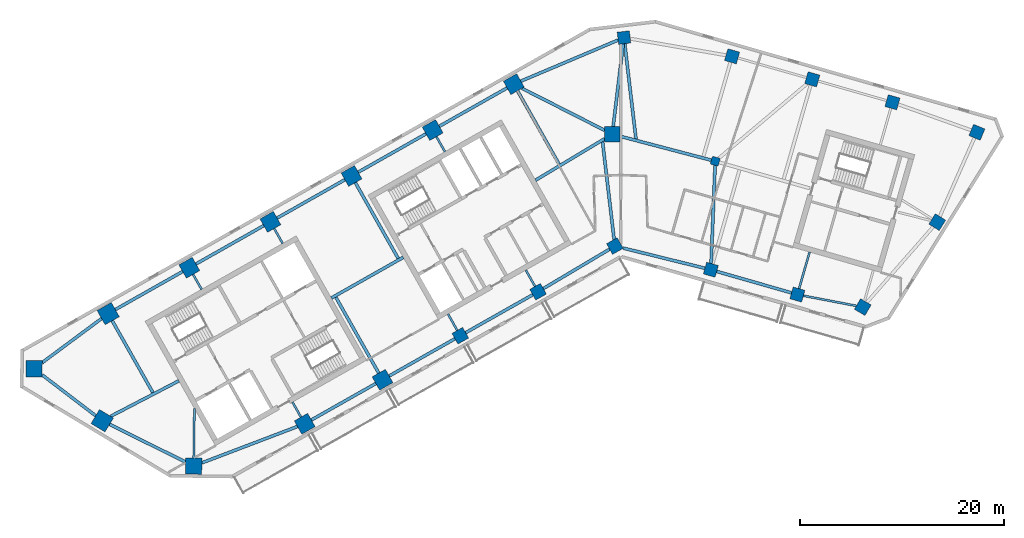
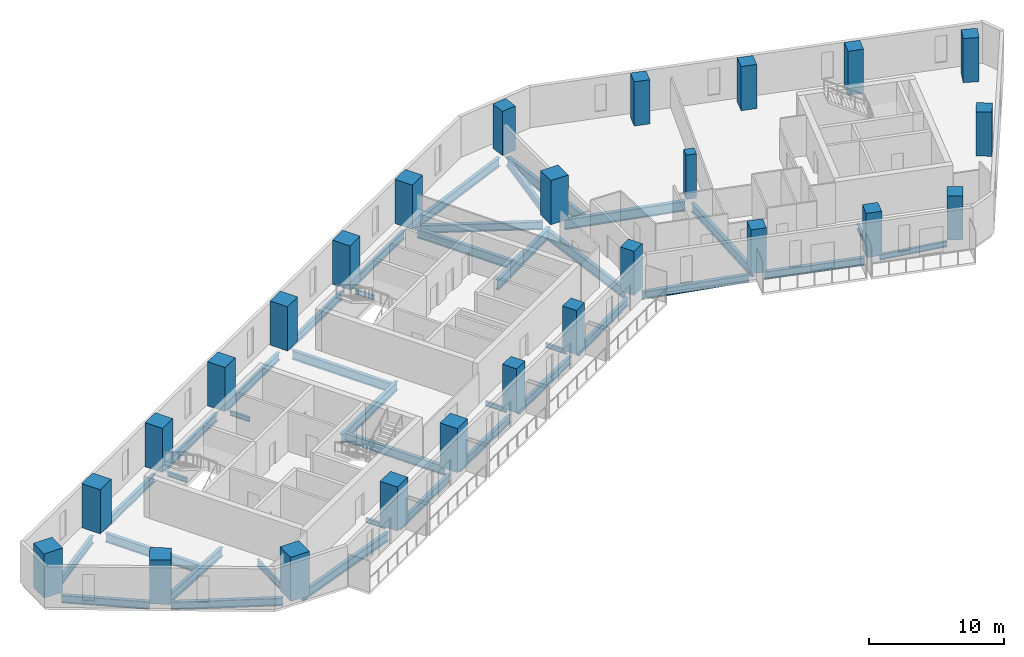
# One storey, part 1 of 9: 38 beams, 25 columns.
"""IFC4 building model written with IfcOpenShell, lengths in metres."""

from ifc_helpers import new_model, si_unit, direction, frame, origin, origin_2d, place, context, subcontext, project, spatial, rectangle, i_section, extrude, material, material_profile, profile_set, type_object, element, save


model = new_model("IFC4")

# Units and contexts
model_context = context("Model", 3, precision=1e-05, world=origin(), true_north=direction((0.0, 1.0)))
body_context = subcontext(model_context, "Body", "Model", "MODEL_VIEW")
ifc_project = project(units=[si_unit("LENGTHUNIT", "METRE"), si_unit("AREAUNIT", "SQUARE_METRE"), si_unit("VOLUMEUNIT", "CUBIC_METRE"), si_unit("PLANEANGLEUNIT", "RADIAN"), si_unit("MASSUNIT", "GRAM", prefix="KILO")], contexts=[model_context])

# Site, building, storey
site_placement = place(None, origin())
site = spatial("IfcSite", under=ifc_project, at=site_placement, CompositionType="ELEMENT")
building_placement = place(site_placement, origin())
building = spatial("IfcBuilding", under=site, at=building_placement, Name="Binnacle Exchange Tower", CompositionType="ELEMENT")
storey_placement = place(building_placement, frame((0.0, 0.0, 190.89990234375)))
storey = spatial("IfcBuildingStorey", under=building, at=storey_placement, Name="L41", CompositionType="ELEMENT", Elevation=190.89990234375)

# Columns
ifc_material_1 = material(Name="Concrete C60/75", Category="concrete")
ifc_material_profile_1 = material_profile(ifc_material_1, rectangle(XDim=0.800048828125, YDim=0.800048828125, at=origin_2d()), Name="Column 800x800 C60/75")
ifc_profile_set_1 = profile_set([ifc_material_profile_1], Name="Concrete C60/75")
column_type_1 = type_object("IfcColumnType", Name="Column 800x800 C60/75", PredefinedType="COLUMN", material=ifc_profile_set_1)
column_placement = place(storey_placement, frame((9.240966796875, 57.35009765625, 0.0), z_axis=(0.0, 0.0, 1.0), x_axis=(0.961261695938, -0.275637355817, 0.0)))
element("IfcColumn", 1, at=column_placement, inside=storey, type_object=column_type_1, Name="S:COL:C19:L41", PredefinedType="COLUMN", context=body_context, shape_type="SweptSolid", body=[
    extrude(rectangle(XDim=0.800048828125, YDim=0.800048828125, at=origin_2d()), origin(), (0.0, 0.0, 1.0), 4.0),
])
ifc_material_2 = material(Name="Concrete C70/85", Category="concrete")
ifc_material_profile_2 = material_profile(ifc_material_2, rectangle(XDim=1.199951171875, YDim=1.199951171875, at=origin_2d()), Name="Mega column 1200x1200 C70/85")
ifc_profile_set_2 = profile_set([ifc_material_profile_2], Name="Concrete C70/85")
column_type_2 = type_object("IfcColumnType", Name="Mega column 1200x1200 C70/85", PredefinedType="COLUMN", material=ifc_profile_set_2)
for number, where, z_axis, x_axis, name in (
    (2, (26.602783203125, 63.12353515625, 0.0), (0.0, 0.0, 1.0), (-0.961261695938, 0.275637355817, 0.0), "S:COL:MC52:L41"),
    (3, (18.746337890625, 65.376220703125, 0.0), (0.0, 0.0, 1.0), (-0.961261695938, 0.275637355817, 0.0), "S:COL:MC50:L41"),
    (4, (10.889892578125, 67.62890625, 0.0), (0.0, 0.0, 1.0), (-0.961261695938, 0.275637355817, 0.0), "S:COL:MC48:L41"),
    (5, (0.300048828125, 69.464111328125, 0.0), (0.0, 0.0, 1.0), (-0.993068456955, -0.117537397458, 0.0), "S:COL:MC47:L41"),
    (6, (-15.736328125, 40.257080078125, 0.0), (0.0, 0.0, 1.0), (0.87035569594, 0.492423560103, 0.0), "S:COL:MC24:L41"),
    (7, (-8.116943359375, 44.568115234375, 0.0), (0.0, 0.0, 1.0), (0.87035569594, 0.492423560103, 0.0), "S:COL:MC35:L41"),
    (8, (-0.5908203125, 49.04443359375, 0.0), (0.0, 0.0, 1.0), (0.87035569594, 0.492423560103, 0.0), "S:COL:MC46:L41"),
    (9, (8.8095703125, 46.722412109375, 0.0), (0.0, 0.0, 1.0), (0.961261695938, -0.275637355817, 0.0), "S:COL:MC49:L41"),
    (10, (17.2880859375, 44.291015625, 0.0), (0.0, 0.0, 1.0), (0.961261695938, -0.275637355817, 0.0), "S:COL:MC51:L41"),
    (11, (23.690185546875, 43.062744140625, 0.0), (0.0, 0.0, 1.0), (-0.86532642813, 0.501208711795, 0.0), "S:COL:MC53:L41"),
    (12, (30.989501953125, 51.38623046875, 0.0), (0.0, 0.0, 1.0), (0.529919264233, 0.848048096156, 0.0), "S:COL:MC55:L41"),
    (13, (34.870361328125, 60.18701171875, 0.0), (0.0, 0.0, 1.0), (-0.922814001807, 0.385245789164, 0.0), "S:COL:MC54:L41"),
):
    element("IfcColumn", number, at=place(storey_placement, frame(where, z_axis=z_axis, x_axis=x_axis)), inside=storey, type_object=column_type_2, Name=name, PredefinedType="COLUMN", context=body_context, shape_type="SweptSolid", body=[
        extrude(rectangle(XDim=1.199951171875, YDim=1.199951171875, at=origin_2d()), origin(), (0.0, 0.0, 1.0), 4.0),
    ])
ifc_material_profile_3 = material_profile(ifc_material_2, rectangle(XDim=1.5, YDim=1.5, at=origin_2d()), Name="Mega column 1500x1500 C70/85")
ifc_profile_set_3 = profile_set([ifc_material_profile_3], Name="Concrete C70/85")
column_type_3 = type_object("IfcColumnType", Name="Mega column 1500x1500 C70/85", PredefinedType="COLUMN", material=ifc_profile_set_3)
for number, where, z_axis, x_axis, name in (
    (14, (-10.4951171875, 64.901611328125, 0.0), (0.0, 0.0, 1.0), (-0.87035569594, -0.492423560103, 0.0), "S:COL:MC38:L41"),
    (15, (-18.44140625, 60.406005859375, 0.0), (0.0, 0.0, 1.0), (-0.87035569594, -0.492423560103, 0.0), "S:COL:MC29:L41"),
    (16, (-26.3876953125, 55.91015625, 0.0), (0.0, 0.0, 1.0), (-0.87035569594, -0.492423560103, 0.0), "S:COL:MC21:L41"),
    (17, (-34.333740234375, 51.414306640625, 0.0), (0.0, 0.0, 1.0), (-0.87035569594, -0.492423560103, 0.0), "S:COL:MC13:L41"),
    (18, (-42.280029296875, 46.918701171875, 0.0), (0.0, 0.0, 1.0), (-0.87035569594, -0.492423560103, 0.0), "S:COL:MC08:L41"),
    (19, (-30.9755859375, 31.63525390625, 0.0), (0.0, 0.0, 1.0), (0.87035569594, 0.492423560103, 0.0), "S:COL:MC07:L41"),
    (20, (-23.35595703125, 35.9462890625, 0.0), (0.0, 0.0, 1.0), (0.87035569594, 0.492423560103, 0.0), "S:COL:MC16:L41"),
    (21, (-0.85009765625, 60.0, 0.0), (0.0, 0.0, 1.0), (0.0, 1.0, 0.0), "S:COL:MC45:L41"),
):
    element("IfcColumn", number, at=place(storey_placement, frame(where, z_axis=z_axis, x_axis=x_axis)), inside=storey, type_object=column_type_3, Name=name, PredefinedType="COLUMN", context=body_context, shape_type="SweptSolid", body=[
        extrude(rectangle(XDim=1.5, YDim=1.5, at=origin_2d()), origin(), (0.0, 0.0, 1.0), 4.0),
    ])
ifc_material_profile_4 = material_profile(ifc_material_2, rectangle(XDim=1.60009765625, YDim=1.60009765625, at=origin_2d()), Name="Mega column 1600x1600 C70/85")
ifc_profile_set_4 = profile_set([ifc_material_profile_4], Name="Concrete C70/85")
column_type_4 = type_object("IfcColumnType", Name="Mega column 1600x1600 C70/85", PredefinedType="COLUMN", material=ifc_profile_set_4)
for number, where, z_axis, x_axis, name in (
    (22, (-50.226318359375, 42.4228515625, 0.0), (0.0, 0.0, 1.0), (-0.87035569594, -0.492423560103, 0.0), "S:COL:MC04:L41"),
    (23, (-57.492919921875, 37.02734375, 0.0), (0.0, 0.0, 1.0), (-0.013089595571, -0.999914327574, 0.0), "S:COL:MC02:L41"),
    (24, (-50.81201171875, 31.930908203125, 0.0), (0.0, 0.0, 1.0), (0.857167300702, -0.51503807491, 0.0), "S:COL:MC01:L41"),
    (25, (-41.857666015625, 27.494873046875, 0.0), (0.0, 0.0, 1.0), (0.999914327574, -0.013089595571, 0.0), "S:COL:MC03:L41"),
):
    element("IfcColumn", number, at=place(storey_placement, frame(where, z_axis=z_axis, x_axis=x_axis)), inside=storey, type_object=column_type_4, Name=name, PredefinedType="COLUMN", context=body_context, shape_type="SweptSolid", body=[
        extrude(rectangle(XDim=1.60009765625, YDim=1.60009765625, at=origin_2d()), origin(), (0.0, 0.0, 1.0), 4.0),
    ])

# Beams
ifc_material_3 = material(Name="Steel S355 (SHN355)", Category="steel")
ifc_material_profile_5 = material_profile(ifc_material_3, i_section(OverallWidth=0.200927734375, OverallDepth=0.506103515625, WebThickness=0.010986328125, FlangeThickness=0.01904296875, FilletRadius=0.02001953125, at=origin_2d()), Name="H 506x201x11x19")
ifc_profile_set_5 = profile_set([ifc_material_profile_5], Name="Steel S355 (SHN355)")
beam_type_1 = type_object("IfcBeamType", Name="Edge girder H 506x201x11x19 Steel S355 (SHN355)", PredefinedType="SPANDREL", material=ifc_profile_set_5)
beam_1_placement = place(storey_placement, frame((17.8798828125, 44.177490234375, -0.572998046875), z_axis=(0.982085171807, -0.188437563446, 0.0), x_axis=(0.188437563446, 0.982085171807, 0.0)))
element("IfcBeam", 26, at=beam_1_placement, inside=storey, type_object=beam_type_1, Name="S:BM:edge:L41:028", PredefinedType="SPANDREL", context=body_context, shape_type="SweptSolid", body=[
    extrude(i_section(OverallWidth=0.200927734375, OverallDepth=0.506103515625, WebThickness=0.010986328125, FlangeThickness=0.01904296875, FilletRadius=0.02001953125, at=origin_2d()), origin(), (0.0, 0.0, 1.0), 5.281005859375),
])
ifc_material_profile_6 = material_profile(ifc_material_3, i_section(OverallWidth=0.300048828125, OverallDepth=0.699951171875, WebThickness=0.012939453125, FlangeThickness=0.02392578125, FilletRadius=0.028076171875, at=origin_2d()), Name="H 700x300x13x24")
ifc_profile_set_6 = profile_set([ifc_material_profile_6], Name="Steel S355 (SHN355)")
beam_type_2 = type_object("IfcBeamType", Name="Edge girder H 700x300x13x24 Steel S355 (SHN355)", PredefinedType="SPANDREL", material=ifc_profile_set_6)
beam_2_placement = place(storey_placement, frame((-56.70068359375, 36.423095703125, -0.669921875), z_axis=(0.795078424379, -0.606506635649, 0.0), x_axis=(0.606506635649, 0.795078424379, 0.0)))
element("IfcBeam", 27, at=beam_2_placement, inside=storey, type_object=beam_type_2, Name="S:BM:edge:L41:011", PredefinedType="SPANDREL", context=body_context, shape_type="SweptSolid", body=[
    extrude(i_section(OverallWidth=0.300048828125, OverallDepth=0.699951171875, WebThickness=0.012939453125, FlangeThickness=0.02392578125, FilletRadius=0.028076171875, at=origin_2d()), origin(), (0.0, 0.0, 1.0), 6.6015625),
])
beam_3_placement = place(storey_placement, frame((-50.87353515625, 41.9423828125, -0.669921875), z_axis=(-0.802872533272, -0.596150732044, 0.0), x_axis=(0.596150732044, -0.802872533272, 0.0)))
element("IfcBeam", 28, at=beam_3_placement, inside=storey, type_object=beam_type_2, Name="S:BM:edge:L41:012", PredefinedType="SPANDREL", context=body_context, shape_type="SweptSolid", body=[
    extrude(i_section(OverallWidth=0.300048828125, OverallDepth=0.699951171875, WebThickness=0.012939453125, FlangeThickness=0.02392578125, FilletRadius=0.028076171875, at=origin_2d()), origin(), (0.0, 0.0, 1.0), 7.238525390625),
])
beam_4_placement = place(storey_placement, frame((-50.0927734375, 31.57470703125, -0.669921875), z_axis=(0.896061869104, -0.443929191131, 0.0), x_axis=(0.443929191131, 0.896061869104, 0.0)))
element("IfcBeam", 29, at=beam_4_placement, inside=storey, type_object=beam_type_2, Name="S:BM:edge:L41:013", PredefinedType="SPANDREL", context=body_context, shape_type="SweptSolid", body=[
    extrude(i_section(OverallWidth=0.300048828125, OverallDepth=0.699951171875, WebThickness=0.012939453125, FlangeThickness=0.02392578125, FilletRadius=0.028076171875, at=origin_2d()), origin(), (0.0, 0.0, 1.0), 8.30322265625),
])
beam_5_placement = place(storey_placement, frame((-42.932861328125, 46.54931640625, -0.669921875), z_axis=(-0.870352192811, -0.492429751811, 0.0), x_axis=(0.492429751811, -0.870352192811, 0.0)))
element("IfcBeam", 30, at=beam_5_placement, inside=storey, type_object=beam_type_2, Name="S:BM:edge:L41:014", PredefinedType="SPANDREL", context=body_context, shape_type="SweptSolid", body=[
    extrude(i_section(OverallWidth=0.300048828125, OverallDepth=0.699951171875, WebThickness=0.012939453125, FlangeThickness=0.02392578125, FilletRadius=0.028076171875, at=origin_2d()), origin(), (0.0, 0.0, 1.0), 7.57958984375),
])
beam_6_placement = place(storey_placement, frame((-34.986572265625, 51.045166015625, -0.669921875), z_axis=(-0.870355964277, -0.492423085818, 0.0), x_axis=(0.492423085818, -0.870355964277, 0.0)))
element("IfcBeam", 31, at=beam_6_placement, inside=storey, type_object=beam_type_2, Name="S:BM:edge:L41:016", PredefinedType="SPANDREL", context=body_context, shape_type="SweptSolid", body=[
    extrude(i_section(OverallWidth=0.300048828125, OverallDepth=0.699951171875, WebThickness=0.012939453125, FlangeThickness=0.02392578125, FilletRadius=0.028076171875, at=origin_2d()), origin(), (0.0, 0.0, 1.0), 7.6298828125),
])
beam_7_placement = place(storey_placement, frame((-30.32275390625, 32.004638671875, -0.669921875), z_axis=(0.870355920795, 0.492423162674, 0.0), x_axis=(-0.492423162674, 0.870355920795, 0.0)))
element("IfcBeam", 32, at=beam_7_placement, inside=storey, type_object=beam_type_2, Name="S:BM:edge:L41:017", PredefinedType="SPANDREL", context=body_context, shape_type="SweptSolid", body=[
    extrude(i_section(OverallWidth=0.300048828125, OverallDepth=0.699951171875, WebThickness=0.012939453125, FlangeThickness=0.02392578125, FilletRadius=0.028076171875, at=origin_2d()), origin(), (0.0, 0.0, 1.0), 7.25439453125),
])
beam_8_placement = place(storey_placement, frame((-27.040283203125, 55.541015625, -0.669921875), z_axis=(-0.870342250182, -0.492447324643, 0.0), x_axis=(0.492447324643, -0.870342250182, 0.0)))
element("IfcBeam", 33, at=beam_8_placement, inside=storey, type_object=beam_type_2, Name="S:BM:edge:L41:018", PredefinedType="SPANDREL", context=body_context, shape_type="SweptSolid", body=[
    extrude(i_section(OverallWidth=0.300048828125, OverallDepth=0.699951171875, WebThickness=0.012939453125, FlangeThickness=0.02392578125, FilletRadius=0.028076171875, at=origin_2d()), origin(), (0.0, 0.0, 1.0), 7.6298828125),
])
beam_9_placement = place(storey_placement, frame((-22.703125, 36.3154296875, -0.669921875), z_axis=(0.87035151347, 0.49243095252, 0.0), x_axis=(-0.49243095252, 0.87035151347, 0.0)))
element("IfcBeam", 34, at=beam_9_placement, inside=storey, type_object=beam_type_2, Name="S:BM:edge:L41:019", PredefinedType="SPANDREL", context=body_context, shape_type="SweptSolid", body=[
    extrude(i_section(OverallWidth=0.300048828125, OverallDepth=0.699951171875, WebThickness=0.012939453125, FlangeThickness=0.02392578125, FilletRadius=0.028076171875, at=origin_2d()), origin(), (0.0, 0.0, 1.0), 7.404541015625),
])
beam_10_placement = place(storey_placement, frame((-19.093994140625, 60.03662109375, -0.669921875), z_axis=(-0.870363722936, -0.492409372165, 0.0), x_axis=(0.492409372165, -0.870363722936, 0.0)))
element("IfcBeam", 35, at=beam_10_placement, inside=storey, type_object=beam_type_2, Name="S:BM:edge:L41:020", PredefinedType="SPANDREL", context=body_context, shape_type="SweptSolid", body=[
    extrude(i_section(OverallWidth=0.300048828125, OverallDepth=0.699951171875, WebThickness=0.012939453125, FlangeThickness=0.02392578125, FilletRadius=0.028076171875, at=origin_2d()), origin(), (0.0, 0.0, 1.0), 7.6298828125),
])
beam_11_placement = place(storey_placement, frame((-15.214111328125, 40.552734375, -0.669921875), z_axis=(0.870353295418, 0.492427802988, 0.0), x_axis=(-0.492427802988, 0.870353295418, 0.0)))
element("IfcBeam", 36, at=beam_11_placement, inside=storey, type_object=beam_type_2, Name="S:BM:edge:L41:021", PredefinedType="SPANDREL", context=body_context, shape_type="SweptSolid", body=[
    extrude(i_section(OverallWidth=0.300048828125, OverallDepth=0.699951171875, WebThickness=0.012939453125, FlangeThickness=0.02392578125, FilletRadius=0.028076171875, at=origin_2d()), origin(), (0.0, 0.0, 1.0), 7.554443359375),
])
beam_12_placement = place(storey_placement, frame((-11.14794921875, 64.532470703125, -0.669921875), z_axis=(-0.870355964277, -0.492423085818, 0.0), x_axis=(0.492423085818, -0.870355964277, 0.0)))
element("IfcBeam", 37, at=beam_12_placement, inside=storey, type_object=beam_type_2, Name="S:BM:edge:L41:022", PredefinedType="SPANDREL", context=body_context, shape_type="SweptSolid", body=[
    extrude(i_section(OverallWidth=0.300048828125, OverallDepth=0.699951171875, WebThickness=0.012939453125, FlangeThickness=0.02392578125, FilletRadius=0.028076171875, at=origin_2d()), origin(), (0.0, 0.0, 1.0), 7.6298828125),
])
beam_13_placement = place(storey_placement, frame((-7.60107421875, 44.875, -0.669921875), z_axis=(0.85946222832, 0.511199254783, 0.0), x_axis=(-0.511199254783, 0.85946222832, 0.0)))
element("IfcBeam", 38, at=beam_13_placement, inside=storey, type_object=beam_type_2, Name="S:BM:edge:L41:023", PredefinedType="SPANDREL", context=body_context, shape_type="SweptSolid", body=[
    extrude(i_section(OverallWidth=0.300048828125, OverallDepth=0.699951171875, WebThickness=0.012939453125, FlangeThickness=0.02392578125, FilletRadius=0.028076171875, at=origin_2d()), origin(), (0.0, 0.0, 1.0), 7.556396484375),
])
beam_14_placement = place(storey_placement, frame((0.21044921875, 48.846435546875, -0.669921875), z_axis=(0.970817017645, -0.239821429924, 0.0), x_axis=(0.239821429924, 0.970817017645, 0.0)))
element("IfcBeam", 39, at=beam_14_placement, inside=storey, type_object=beam_type_2, Name="S:BM:edge:L41:025", PredefinedType="SPANDREL", context=body_context, shape_type="SweptSolid", body=[
    extrude(i_section(OverallWidth=0.300048828125, OverallDepth=0.699951171875, WebThickness=0.012939453125, FlangeThickness=0.02392578125, FilletRadius=0.028076171875, at=origin_2d()), origin(), (0.0, 0.0, 1.0), 8.257080078125),
])
beam_15_placement = place(storey_placement, frame((9.38623046875, 46.556884765625, -0.669921875), z_axis=(0.961266012815, -0.275622300635, 0.0), x_axis=(0.275622300635, 0.961266012815, 0.0)))
element("IfcBeam", 40, at=beam_15_placement, inside=storey, type_object=beam_type_2, Name="S:BM:edge:L41:026", PredefinedType="SPANDREL", context=body_context, shape_type="SweptSolid", body=[
    extrude(i_section(OverallWidth=0.300048828125, OverallDepth=0.699951171875, WebThickness=0.012939453125, FlangeThickness=0.02392578125, FilletRadius=0.028076171875, at=origin_2d()), origin(), (0.0, 0.0, 1.0), 7.620361328125),
])
ifc_material_profile_7 = material_profile(ifc_material_3, i_section(OverallWidth=0.300048828125, OverallDepth=0.800048828125, WebThickness=0.013916015625, FlangeThickness=0.02587890625, FilletRadius=0.028076171875, at=origin_2d()), Name="H 800x300x14x26")
ifc_profile_set_7 = profile_set([ifc_material_profile_7], Name="Steel S355 (SHN355)")
beam_type_3 = type_object("IfcBeamType", Name="Edge girder H 800x300x14x26 Steel S355 (SHN355)", PredefinedType="SPANDREL", material=ifc_profile_set_7)
beam_16_placement = place(storey_placement, frame((-41.0537109375, 27.80078125, -0.719970703125), z_axis=(0.934633884233, 0.355611448695, 0.0), x_axis=(-0.355611448695, 0.934633884233, 0.0)))
element("IfcBeam", 41, at=beam_16_placement, inside=storey, type_object=beam_type_3, Name="S:BM:edge:L41:015", PredefinedType="SPANDREL", context=body_context, shape_type="SweptSolid", body=[
    extrude(i_section(OverallWidth=0.300048828125, OverallDepth=0.800048828125, WebThickness=0.013916015625, FlangeThickness=0.02587890625, FilletRadius=0.028076171875, at=origin_2d()), origin(), (0.0, 0.0, 1.0), 10.024169921875),
])
beam_17_placement = place(storey_placement, frame((-0.275390625, 69.220947265625, -0.719970703125), z_axis=(-0.921111875234, -0.389297974953, 0.0), x_axis=(0.389297974953, -0.921111875234, 0.0)))
element("IfcBeam", 42, at=beam_17_placement, inside=storey, type_object=beam_type_3, Name="S:BM:edge:L41:024", PredefinedType="SPANDREL", context=body_context, shape_type="SweptSolid", body=[
    extrude(i_section(OverallWidth=0.300048828125, OverallDepth=0.800048828125, WebThickness=0.013916015625, FlangeThickness=0.02587890625, FilletRadius=0.028076171875, at=origin_2d()), origin(), (0.0, 0.0, 1.0), 10.340087890625),
])
ifc_material_profile_8 = material_profile(ifc_material_3, i_section(OverallWidth=0.199951171875, OverallDepth=0.39990234375, WebThickness=0.008056640625, FlangeThickness=0.012939453125, FilletRadius=0.01611328125, at=origin_2d()), Name="H 400x200x8x13")
ifc_profile_set_8 = profile_set([ifc_material_profile_8], Name="Steel S355 (SHN355)")
beam_type_4 = type_object("IfcBeamType", Name="Floor beam H 400x200x8x13 Steel S355 (SHN355)", PredefinedType="BEAM", material=ifc_profile_set_8)
beam_18_placement = place(storey_placement, frame((-41.91064453125, 46.265869140625, -0.52001953125), z_axis=(0.49243456751, -0.870349468157, 0.0), x_axis=(0.870349468157, 0.49243456751, 0.0)))
element("IfcBeam", 43, at=beam_18_placement, inside=storey, type_object=beam_type_4, Name="S:BM:cross:L41:035", PredefinedType="BEAM", context=body_context, shape_type="SweptSolid", body=[
    extrude(i_section(OverallWidth=0.199951171875, OverallDepth=0.39990234375, WebThickness=0.008056640625, FlangeThickness=0.012939453125, FilletRadius=0.01611328125, at=origin_2d()), origin(), (0.0, 0.0, 1.0), 1.68408203125),
])
beam_19_placement = place(storey_placement, frame((-33.964599609375, 50.76171875, -0.52001953125), z_axis=(0.492482237839, -0.870322495063, 0.0), x_axis=(0.870322495063, 0.492482237839, 0.0)))
element("IfcBeam", 44, at=beam_19_placement, inside=storey, type_object=beam_type_4, Name="S:BM:cross:L41:037", PredefinedType="BEAM", context=body_context, shape_type="SweptSolid", body=[
    extrude(i_section(OverallWidth=0.199951171875, OverallDepth=0.39990234375, WebThickness=0.008056640625, FlangeThickness=0.012939453125, FilletRadius=0.01611328125, at=origin_2d()), origin(), (0.0, 0.0, 1.0), 1.6845703125),
])
for number, where, z_axis, x_axis, name in (
    (45, (-31.344970703125, 32.2880859375, -0.52001953125), (-0.49243456751, 0.870349468157, 0.0), (-0.870349468157, -0.49243456751, 0.0), "S:BM:cross:L41:038"),
    (46, (-18.072021484375, 59.753173828125, -0.52001953125), (0.49243456751, -0.870349468157, 0.0), (0.870349468157, 0.49243456751, 0.0), "S:BM:cross:L41:041"),
):
    element("IfcBeam", number, at=place(storey_placement, frame(where, z_axis=z_axis, x_axis=x_axis)), inside=storey, type_object=beam_type_4, Name=name, PredefinedType="BEAM", context=body_context, shape_type="SweptSolid", body=[
        extrude(i_section(OverallWidth=0.199951171875, OverallDepth=0.39990234375, WebThickness=0.008056640625, FlangeThickness=0.012939453125, FilletRadius=0.01611328125, at=origin_2d()), origin(), (0.0, 0.0, 1.0), 1.68408203125),
    ])
beam_20_placement = place(storey_placement, frame((-16.031982421875, 40.779296875, -0.52001953125), z_axis=(-0.492307212856, 0.870421511781, 0.0), x_axis=(-0.870421511781, -0.492307212856, 0.0)))
element("IfcBeam", 47, at=beam_20_placement, inside=storey, type_object=beam_type_4, Name="S:BM:cross:L41:042", PredefinedType="BEAM", context=body_context, shape_type="SweptSolid", body=[
    extrude(i_section(OverallWidth=0.199951171875, OverallDepth=0.39990234375, WebThickness=0.008056640625, FlangeThickness=0.012939453125, FilletRadius=0.01611328125, at=origin_2d()), origin(), (0.0, 0.0, 1.0), 1.83447265625),
])
beam_21_placement = place(storey_placement, frame((-8.412353515625, 45.09033203125, -0.52001953125), z_axis=(-0.492465079532, 0.87033220407, 0.0), x_axis=(-0.87033220407, -0.492465079532, 0.0)))
element("IfcBeam", 48, at=beam_21_placement, inside=storey, type_object=beam_type_4, Name="S:BM:cross:L41:044", PredefinedType="BEAM", context=body_context, shape_type="SweptSolid", body=[
    extrude(i_section(OverallWidth=0.199951171875, OverallDepth=0.39990234375, WebThickness=0.008056640625, FlangeThickness=0.012939453125, FilletRadius=0.01611328125, at=origin_2d()), origin(), (0.0, 0.0, 1.0), 1.834228515625),
])
ifc_material_profile_9 = material_profile(ifc_material_3, i_section(OverallWidth=0.199951171875, OverallDepth=0.5, WebThickness=0.010009765625, FlangeThickness=0.01611328125, FilletRadius=0.02001953125, at=origin_2d()), Name="H 500x200x10x16")
ifc_profile_set_9 = profile_set([ifc_material_profile_9], Name="Steel S355 (SHN355)")
beam_type_5 = type_object("IfcBeamType", Name="Floor beam H 500x200x10x16 Steel S355 (SHN355)", PredefinedType="BEAM", material=ifc_profile_set_9)
beam_22_placement = place(storey_placement, frame((17.45361328125, 44.867919921875, -0.56982421875), z_axis=(0.275644746045, 0.961259576794, 0.0), x_axis=(-0.961259576794, 0.275644746045, 0.0)))
element("IfcBeam", 49, at=beam_22_placement, inside=storey, type_object=beam_type_5, Name="S:BM:cross:L41:049", PredefinedType="BEAM", context=body_context, shape_type="SweptSolid", body=[
    extrude(i_section(OverallWidth=0.199951171875, OverallDepth=0.5, WebThickness=0.010009765625, FlangeThickness=0.01611328125, FilletRadius=0.02001953125, at=origin_2d()), origin(), (0.0, 0.0, 1.0), 3.735107421875),
])
ifc_material_profile_10 = material_profile(ifc_material_3, i_section(OverallWidth=0.200927734375, OverallDepth=0.60595703125, WebThickness=0.011962890625, FlangeThickness=0.02001953125, FilletRadius=0.02197265625, at=origin_2d()), Name="H 606x201x12x20")
ifc_profile_set_10 = profile_set([ifc_material_profile_10], Name="Steel S355 (SHN355)")
beam_type_6 = type_object("IfcBeamType", Name="Floor beam H 606x201x12x20 Steel S355 (SHN355)", PredefinedType="BEAM", material=ifc_profile_set_10)
beam_23_placement = place(storey_placement, frame((-41.84716796875, 28.294677734375, -0.622802734375), z_axis=(0.013085908175, 0.999914375838, 0.0), x_axis=(-0.999914375838, 0.013085908175, 0.0)))
element("IfcBeam", 50, at=beam_23_placement, inside=storey, type_object=beam_type_6, Name="S:BM:cross:L41:036", PredefinedType="BEAM", context=body_context, shape_type="SweptSolid", body=[
    extrude(i_section(OverallWidth=0.200927734375, OverallDepth=0.60595703125, WebThickness=0.011962890625, FlangeThickness=0.02001953125, FilletRadius=0.02197265625, at=origin_2d()), origin(), (0.0, 0.0, 1.0), 4.850830078125),
])
ifc_material_profile_11 = material_profile(ifc_material_3, i_section(OverallWidth=0.302001953125, OverallDepth=0.80810546875, WebThickness=0.01611328125, FlangeThickness=0.030029296875, FilletRadius=0.028076171875, at=origin_2d()), Name="H 808x302x16x30")
ifc_profile_set_11 = profile_set([ifc_material_profile_11], Name="Steel S355 (SHN355)")
beam_type_7 = type_object("IfcBeamType", Name="Floor beam H 808x302x16x30 Steel S355 (SHN355)", PredefinedType="BEAM", material=ifc_profile_set_11)
beam_24_placement = place(storey_placement, frame((-49.832275390625, 41.7265625, -0.723876953125), z_axis=(0.492430056331, -0.870352020519, 0.0), x_axis=(0.870352020519, 0.492430056331, 0.0)))
element("IfcBeam", 51, at=beam_24_placement, inside=storey, type_object=beam_type_7, Name="S:BM:cross:L41:034", PredefinedType="BEAM", context=body_context, shape_type="SweptSolid", body=[
    extrude(i_section(OverallWidth=0.302001953125, OverallDepth=0.80810546875, WebThickness=0.01611328125, FlangeThickness=0.030029296875, FilletRadius=0.028076171875, at=origin_2d()), origin(), (0.0, 0.0, 1.0), 8.09130859375),
])
for number, where, z_axis, x_axis, name in (
    (52, (-26.018310546875, 55.25732421875, -0.723876953125), (0.4924220214, -0.870356566495, 0.0), (0.870356566495, 0.4924220214, 0.0), "S:BM:cross:L41:039"),
    (53, (-23.725341796875, 36.59912109375, -0.723876953125), (-0.4924220214, 0.870356566495, 0.0), (-0.870356566495, -0.4924220214, 0.0), "S:BM:cross:L41:040"),
):
    element("IfcBeam", number, at=place(storey_placement, frame(where, z_axis=z_axis, x_axis=x_axis)), inside=storey, type_object=beam_type_7, Name=name, PredefinedType="BEAM", context=body_context, shape_type="SweptSolid", body=[
        extrude(i_section(OverallWidth=0.302001953125, OverallDepth=0.80810546875, WebThickness=0.01611328125, FlangeThickness=0.030029296875, FilletRadius=0.028076171875, at=origin_2d()), origin(), (0.0, 0.0, 1.0), 8.5341796875),
    ])
beam_25_placement = place(storey_placement, frame((-10.125732421875, 64.248779296875, -0.723876953125), z_axis=(0.492423973828, -0.870355461866, 0.0), x_axis=(0.870355461866, 0.492423973828, 0.0)))
element("IfcBeam", 54, at=beam_25_placement, inside=storey, type_object=beam_type_7, Name="S:BM:cross:L41:043", PredefinedType="BEAM", context=body_context, shape_type="SweptSolid", body=[
    extrude(i_section(OverallWidth=0.302001953125, OverallDepth=0.80810546875, WebThickness=0.01611328125, FlangeThickness=0.030029296875, FilletRadius=0.028076171875, at=origin_2d()), origin(), (0.0, 0.0, 1.0), 8.269287109375),
])
ifc_material_profile_12 = material_profile(ifc_material_3, i_section(OverallWidth=0.302001953125, OverallDepth=0.912109375, WebThickness=0.01806640625, FlangeThickness=0.033935546875, FilletRadius=0.028076171875, at=origin_2d()), Name="H 912x302x18x34")
ifc_profile_set_12 = profile_set([ifc_material_profile_12], Name="Steel S355 (SHN355)")
beam_type_8 = type_object("IfcBeamType", Name="Floor beam H 912x302x18x34 Steel S355 (SHN355)", PredefinedType="BEAM", material=ifc_profile_set_12)
beam_26_placement = place(storey_placement, frame((-0.66748046875, 49.690673828125, -0.77587890625), z_axis=(-0.117518220547, 0.993070726504, 0.0), x_axis=(-0.993070726504, -0.117518220547, 0.0)))
element("IfcBeam", 55, at=beam_26_placement, inside=storey, type_object=beam_type_8, Name="S:BM:cross:L41:045", PredefinedType="BEAM", context=body_context, shape_type="SweptSolid", body=[
    extrude(i_section(OverallWidth=0.302001953125, OverallDepth=0.912109375, WebThickness=0.01806640625, FlangeThickness=0.033935546875, FilletRadius=0.028076171875, at=origin_2d()), origin(), (0.0, 0.0, 1.0), 9.645751953125),
])
beam_27_placement = place(storey_placement, frame((0.37060546875, 68.868408203125, -0.77587890625), z_axis=(0.117552497625, -0.993066669616, 0.0), x_axis=(0.993066669616, 0.117552497625, 0.0)))
element("IfcBeam", 56, at=beam_27_placement, inside=storey, type_object=beam_type_8, Name="S:BM:cross:L41:046", PredefinedType="BEAM", context=body_context, shape_type="SweptSolid", body=[
    extrude(i_section(OverallWidth=0.302001953125, OverallDepth=0.912109375, WebThickness=0.01806640625, FlangeThickness=0.033935546875, FilletRadius=0.028076171875, at=origin_2d()), origin(), (0.0, 0.0, 1.0), 9.39990234375),
])
ifc_material_profile_13 = material_profile(ifc_material_3, i_section(OverallWidth=0.300048828125, OverallDepth=0.699951171875, WebThickness=0.012939453125, FlangeThickness=0.02392578125, FilletRadius=0.028076171875, at=origin_2d()), Name="H 700x300x13x24")
ifc_profile_set_13 = profile_set([ifc_material_profile_13], Name="Steel S355 (SHN355)")
beam_type_9 = type_object("IfcBeamType", Name="Spine girder H 700x300x13x24 Steel S355 (SHN355)", PredefinedType="BEAM", material=ifc_profile_set_13)
beam_28_placement = place(storey_placement, frame((-0.7587890625, 60.75, -0.669921875), z_axis=(0.120620829002, 0.992698652971, 0.0), x_axis=(-0.992698652971, 0.120620829002, 0.0)))
element("IfcBeam", 57, at=beam_28_placement, inside=storey, type_object=beam_type_9, Name="S:BM:spine:L41:005", PredefinedType="BEAM", context=body_context, shape_type="SweptSolid", body=[
    extrude(i_section(OverallWidth=0.300048828125, OverallDepth=0.699951171875, WebThickness=0.012939453125, FlangeThickness=0.02392578125, FilletRadius=0.028076171875, at=origin_2d()), origin(), (0.0, 0.0, 1.0), 8.160888671875),
])
ifc_material_profile_14 = material_profile(ifc_material_3, i_section(OverallWidth=0.302001953125, OverallDepth=0.7080078125, WebThickness=0.014892578125, FlangeThickness=0.028076171875, FilletRadius=0.028076171875, at=origin_2d()), Name="H 708x302x15x28")
ifc_profile_set_14 = profile_set([ifc_material_profile_14], Name="Steel S355 (SHN355)")
beam_type_10 = type_object("IfcBeamType", Name="Spine girder H 708x302x15x28 Steel S355 (SHN355)", PredefinedType="BEAM", material=ifc_profile_set_14)
beam_29_placement = place(storey_placement, frame((-1.60009765625, 60.381103515625, -0.673828125), z_axis=(-0.891476459322, 0.453067017641, 0.0), x_axis=(-0.453067017641, -0.891476459322, 0.0)))
element("IfcBeam", 58, at=beam_29_placement, inside=storey, type_object=beam_type_10, Name="S:BM:spine:L41:004", PredefinedType="BEAM", context=body_context, shape_type="SweptSolid", body=[
    extrude(i_section(OverallWidth=0.302001953125, OverallDepth=0.7080078125, WebThickness=0.014892578125, FlangeThickness=0.028076171875, FilletRadius=0.028076171875, at=origin_2d()), origin(), (0.0, 0.0, 1.0), 9.07763671875),
])
ifc_material_profile_15 = material_profile(ifc_material_3, i_section(OverallWidth=0.302001953125, OverallDepth=0.80810546875, WebThickness=0.01611328125, FlangeThickness=0.030029296875, FilletRadius=0.028076171875, at=origin_2d()), Name="H 808x302x16x30")
ifc_profile_set_15 = profile_set([ifc_material_profile_15], Name="Steel S355 (SHN355)")
beam_type_11 = type_object("IfcBeamType", Name="Spine girder H 808x302x16x30 Steel S355 (SHN355)", PredefinedType="BEAM", material=ifc_profile_set_15)
beam_30_placement = place(storey_placement, frame((-49.979736328125, 32.3642578125, -0.723876953125), z_axis=(0.886978621009, 0.461810486968, 0.0), x_axis=(-0.461810486968, 0.886978621009, 0.0)))
element("IfcBeam", 59, at=beam_30_placement, inside=storey, type_object=beam_type_11, Name="S:BM:spine:L41:001", PredefinedType="BEAM", context=body_context, shape_type="SweptSolid", body=[
    extrude(i_section(OverallWidth=0.302001953125, OverallDepth=0.80810546875, WebThickness=0.01611328125, FlangeThickness=0.030029296875, FilletRadius=0.028076171875, at=origin_2d()), origin(), (0.0, 0.0, 1.0), 7.522216796875),
])
beam_31_placement = place(storey_placement, frame((-28.365478515625, 43.951416015625, -0.723876953125), z_axis=(0.870350319004, 0.492433063684, 0.0), x_axis=(-0.492433063684, 0.870350319004, 0.0)))
element("IfcBeam", 60, at=beam_31_placement, inside=storey, type_object=beam_type_11, Name="S:BM:spine:L41:002", PredefinedType="BEAM", context=body_context, shape_type="SweptSolid", body=[
    extrude(i_section(OverallWidth=0.302001953125, OverallDepth=0.80810546875, WebThickness=0.01611328125, FlangeThickness=0.030029296875, FilletRadius=0.028076171875, at=origin_2d()), origin(), (0.0, 0.0, 1.0), 8.0908203125),
])
beam_32_placement = place(storey_placement, frame((9.22412109375, 56.93896484375, -0.723876953125), z_axis=(-0.040556634715, -0.999177241224, 0.0), x_axis=(0.999177241224, -0.040556634715, 0.0)))
element("IfcBeam", 61, at=beam_32_placement, inside=storey, type_object=beam_type_11, Name="S:BM:spine:L41:007", PredefinedType="BEAM", context=body_context, shape_type="SweptSolid", body=[
    extrude(i_section(OverallWidth=0.302001953125, OverallDepth=0.80810546875, WebThickness=0.01611328125, FlangeThickness=0.030029296875, FilletRadius=0.028076171875, at=origin_2d()), origin(), (0.0, 0.0, 1.0), 9.607421875),
])
ifc_material_profile_16 = material_profile(ifc_material_3, i_section(OverallWidth=0.302001953125, OverallDepth=0.912109375, WebThickness=0.01806640625, FlangeThickness=0.033935546875, FilletRadius=0.028076171875, at=origin_2d()), Name="H 912x302x18x34")
ifc_profile_set_16 = profile_set([ifc_material_profile_16], Name="Steel S355 (SHN355)")
beam_type_12 = type_object("IfcBeamType", Name="Spine girder H 912x302x18x34 Steel S355 (SHN355)", PredefinedType="BEAM", material=ifc_profile_set_16)
beam_33_placement = place(storey_placement, frame((-8.36328125, 55.489990234375, -0.77587890625), z_axis=(0.857386401747, 0.514673253724, 0.0), x_axis=(-0.514673253724, 0.857386401747, 0.0)))
element("IfcBeam", 62, at=beam_33_placement, inside=storey, type_object=beam_type_12, Name="S:BM:spine:L41:003", PredefinedType="BEAM", context=body_context, shape_type="SweptSolid", body=[
    extrude(i_section(OverallWidth=0.302001953125, OverallDepth=0.912109375, WebThickness=0.01806640625, FlangeThickness=0.033935546875, FilletRadius=0.028076171875, at=origin_2d()), origin(), (0.0, 0.0, 1.0), 7.88818359375),
])
beam_34_placement = place(storey_placement, frame((-0.10009765625, 59.802978515625, -0.77587890625), z_axis=(0.967214448634, -0.253961041017, 0.0), x_axis=(0.253961041017, 0.967214448634, 0.0)))
element("IfcBeam", 63, at=beam_34_placement, inside=storey, type_object=beam_type_12, Name="S:BM:spine:L41:006", PredefinedType="BEAM", context=body_context, shape_type="SweptSolid", body=[
    extrude(i_section(OverallWidth=0.302001953125, OverallDepth=0.912109375, WebThickness=0.01806640625, FlangeThickness=0.033935546875, FilletRadius=0.028076171875, at=origin_2d()), origin(), (0.0, 0.0, 1.0), 9.257568359375),
])

save(model, "model.ifc")
